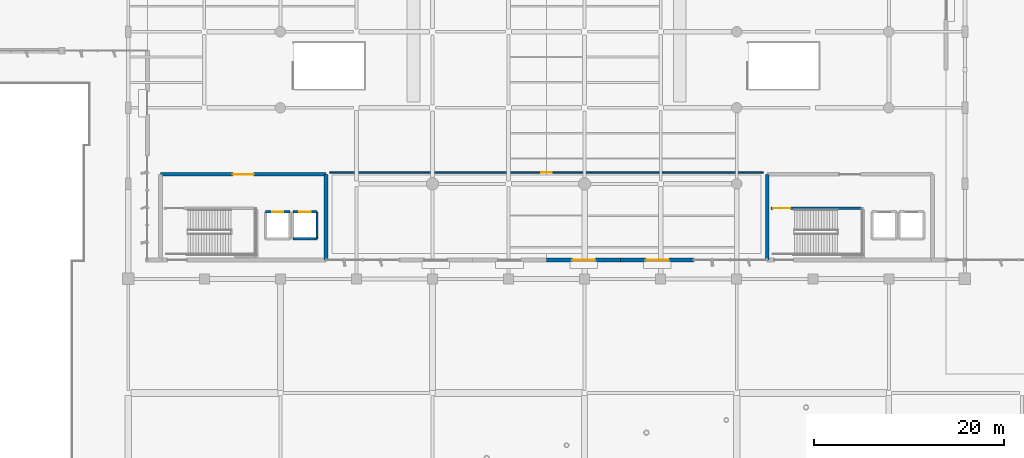
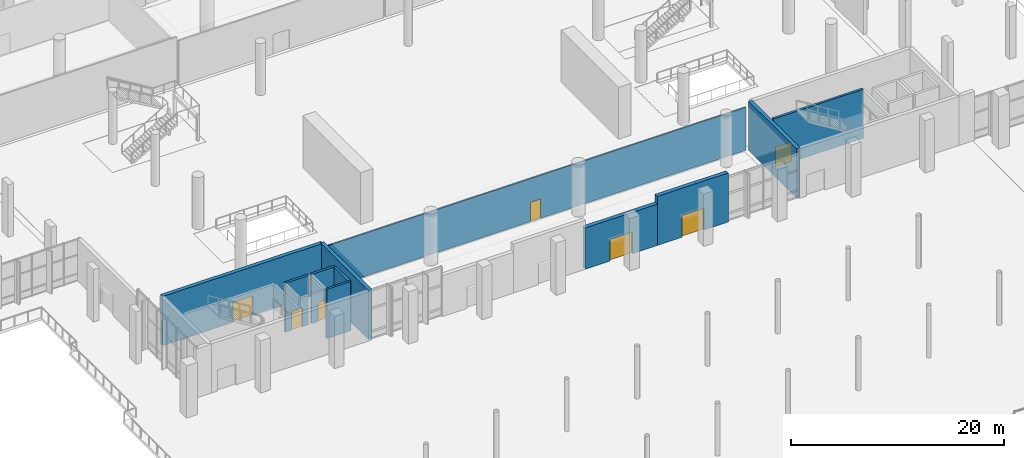
# One storey, part 123 of 163: 11 walls, 7 doors, 7 openings.
"""IFC4 building model written with IfcOpenShell, lengths in metres."""

from ifc_helpers import new_model, si_unit, direction, frame, frame_2d, origin, place, context, subcontext, project, spatial, rectangle, extrude, material, layer, layer_set, type_object, element, fill, save


model = new_model("IFC4")

# Units and contexts
model_context = context("Model", 3, precision=1e-05, world=origin(), true_north=direction((0.0, 1.0)))
body_context = subcontext(model_context, "Body", "Model", "MODEL_VIEW")
ifc_project = project(units=[si_unit("LENGTHUNIT", "METRE"), si_unit("AREAUNIT", "SQUARE_METRE"), si_unit("VOLUMEUNIT", "CUBIC_METRE"), si_unit("PLANEANGLEUNIT", "RADIAN"), si_unit("MASSUNIT", "GRAM", prefix="KILO")], contexts=[model_context])

# Site, building, storey
site_placement = place(None, origin())
site = spatial("IfcSite", under=ifc_project, at=site_placement, CompositionType="ELEMENT")
building_placement = place(site_placement, origin())
building = spatial("IfcBuilding", under=site, at=building_placement, Name="Khorjan Park Terminus", CompositionType="ELEMENT")
storey_placement = place(building_placement, origin())
storey = spatial("IfcBuildingStorey", under=building, at=storey_placement, Name="L00", CompositionType="ELEMENT", Elevation=0.0)

# Wall
ifc_material_1 = material(Name="Concrete C50/60", Category="concrete")
ifc_layer_1 = layer(ifc_material_1, 0.4)
ifc_layer_set_1 = layer_set([ifc_layer_1], Name="Concrete C50/60")
wall_type_1 = type_object("IfcWallType", Name="CW-40", PredefinedType="SHEAR", material=ifc_layer_set_1)
wall_1_placement = place(storey_placement, frame((68.8, 28.0, 0.0), z_axis=(0.0, 0.0, 1.0), x_axis=(0.0, 1.0, 0.0)))
element("IfcWall", 1, at=wall_1_placement, inside=storey, type_object=wall_type_1, Name="West Concourse Core concrete shear wall CW-40 (L00-E2)", PredefinedType="SHEAR", context=body_context, shape_type="SweptSolid", body=[
    extrude(rectangle(XDim=9.0, YDim=0.4, at=frame_2d((4.5, 0.0))), origin(), (0.0, 0.0, 1.0), 5.64),
])

# Wall, opening, door
wall_2_placement = place(storey_placement, frame((68.8, 37.0, 0.0), z_axis=(0.0, 0.0, 1.0), x_axis=(-1.0, 0.0, 0.0)))
wall_2 = element("IfcWall", 2, at=wall_2_placement, inside=storey, type_object=wall_type_1, Name="West Concourse Core concrete shear wall CW-40 (L00-E3)", PredefinedType="SHEAR", context=body_context, shape_type="SweptSolid", body=[
    extrude(rectangle(XDim=17.4, YDim=0.4, at=frame_2d((8.7, 0.0))), origin(), (0.0, 0.0, 1.0), 5.64),
])
opening_1_placement = place(wall_2_placement, frame((7.6, 0.0, 0.0)))
opening_1 = element("IfcOpeningElement", 3, at=opening_1_placement, cuts=wall_2, Name="Opening FD-22", PredefinedType="OPENING", context=body_context, shape_type="SweptSolid", body=[
    extrude(rectangle(XDim=2.2, YDim=2.3, at=frame_2d((1.1, 1.15))), frame((0.0, 0.21, 0.0), z_axis=(0.0, -1.0, 0.0), x_axis=(1.0, 0.0, 0.0)), (0.0, 0.0, 1.0), 0.42),
])
ifc_material_2 = material(Name="Fire-Rated Steel Double Door", Category="steel")
door_type_1 = type_object("IfcDoorType", Name="FD-22", OperationType="NOTDEFINED", PredefinedType="DOOR", material=ifc_material_2)
door_1_placement = place(opening_1_placement, origin())
door_1 = element("IfcDoor", 4, at=door_1_placement, inside=storey, type_object=door_type_1, Name="West Concourse Core fire-rated exit door FD-22 (L00)", OperationType="DOUBLE_DOOR_SINGLE_SWING", OverallHeight=2.3, OverallWidth=2.2, PredefinedType="DOOR", context=body_context, shape_type="SweptSolid", body=[
    extrude(rectangle(XDim=2.2, YDim=2.3, at=frame_2d((1.1, 1.15))), frame((0.0, 0.025, 0.0), z_axis=(0.0, -1.0, 0.0), x_axis=(1.0, 0.0, 0.0)), (0.0, 0.0, 1.0), 0.05),
])
fill(opening_1, door_1)

# Wall
wall_3_placement = place(storey_placement, frame((115.2, 37.0, 0.0), z_axis=(0.0, 0.0, 1.0), x_axis=(0.0, -1.0, 0.0)))
element("IfcWall", 5, at=wall_3_placement, inside=storey, type_object=wall_type_1, Name="East Concourse Core concrete shear wall CW-40 (L00-E4)", PredefinedType="SHEAR", context=body_context, shape_type="SweptSolid", body=[
    extrude(rectangle(XDim=9.0, YDim=0.4, at=frame_2d((4.5, 0.0))), origin(), (0.0, 0.0, 1.0), 5.64),
])

# Wall, opening, door
ifc_material_3 = material(Name="Pigmented Precast GRC & Concrete C40/50", Category="concrete")
ifc_layer_2 = layer(ifc_material_3, 0.42)
ifc_layer_set_2 = layer_set([ifc_layer_2], Name="Pigmented Precast GRC & Concrete C40/50")
wall_type_2 = type_object("IfcWallType", Name="EW-42", PredefinedType="STANDARD", material=ifc_layer_set_2)
wall_4_placement = place(storey_placement, frame((92.0, 28.0, 0.0), z_axis=(0.0, 0.0, 1.0), x_axis=(1.0, 0.0, 0.0)))
wall_4 = element("IfcWall", 6, at=wall_4_placement, inside=storey, type_object=wall_type_2, Name="External pigmented-GRC insulated wall EW-42 (EW-V2-S-L00-05)", PredefinedType="STANDARD", context=body_context, shape_type="SweptSolid", body=[
    extrude(rectangle(XDim=7.8, YDim=0.42, at=frame_2d((3.9, 0.0))), origin(), (0.0, 0.0, 1.0), 4.735),
])
opening_2_placement = place(wall_4_placement, frame((2.7, 0.0, 0.0)))
opening_2 = element("IfcOpeningElement", 7, at=opening_2_placement, cuts=wall_4, Name="Opening ED-24", PredefinedType="OPENING", context=body_context, shape_type="SweptSolid", body=[
    extrude(rectangle(XDim=2.4, YDim=2.5, at=frame_2d((1.2, 1.25))), frame((0.0, 0.22, 0.0), z_axis=(0.0, -1.0, 0.0), x_axis=(1.0, 0.0, 0.0)), (0.0, 0.0, 1.0), 0.44),
])
ifc_material_4 = material(Name="Anodized Bronze Aluminium & Safety Glass", Category="aluminium")
door_type_2 = type_object("IfcDoorType", Name="ED-24", OperationType="NOTDEFINED", PredefinedType="DOOR", material=ifc_material_4)
door_2_placement = place(opening_2_placement, origin())
door_2 = element("IfcDoor", 8, at=door_2_placement, inside=storey, type_object=door_type_2, Name="Exterior door ED-24 (DR-EW-V2-S-L00-05)", OperationType="DOUBLE_DOOR_SINGLE_SWING", OverallHeight=2.5, OverallWidth=2.4, PredefinedType="DOOR", context=body_context, shape_type="SweptSolid", body=[
    extrude(rectangle(XDim=2.4, YDim=2.5, at=frame_2d((1.2, 1.25))), frame((0.0, 0.025, 0.0), z_axis=(0.0, -1.0, 0.0), x_axis=(1.0, 0.0, 0.0)), (0.0, 0.0, 1.0), 0.05),
])
fill(opening_2, door_2)

wall_5_placement = place(storey_placement, frame((99.8, 28.0, 0.0), z_axis=(0.0, 0.0, 1.0), x_axis=(1.0, 0.0, 0.0)))
wall_5 = element("IfcWall", 9, at=wall_5_placement, inside=storey, type_object=wall_type_2, Name="External pigmented-GRC insulated wall EW-42 (EW-V2-S-L00-06)", PredefinedType="STANDARD", context=body_context, shape_type="SweptSolid", body=[
    extrude(rectangle(XDim=7.7, YDim=0.42, at=frame_2d((3.85, 0.0))), origin(), (0.0, 0.0, 1.0), 5.62),
])
opening_3_placement = place(wall_5_placement, frame((2.65, 0.0, 0.0)))
opening_3 = element("IfcOpeningElement", 10, at=opening_3_placement, cuts=wall_5, Name="Opening ED-24", PredefinedType="OPENING", context=body_context, shape_type="SweptSolid", body=[
    extrude(rectangle(XDim=2.4, YDim=2.5, at=frame_2d((1.2, 1.25))), frame((0.0, 0.22, 0.0), z_axis=(0.0, -1.0, 0.0), x_axis=(1.0, 0.0, 0.0)), (0.0, 0.0, 1.0), 0.44),
])
door_3_placement = place(opening_3_placement, origin())
door_3 = element("IfcDoor", 11, at=door_3_placement, inside=storey, type_object=door_type_2, Name="Exterior door ED-24 (DR-EW-V2-S-L00-06)", OperationType="DOUBLE_DOOR_SINGLE_SWING", OverallHeight=2.5, OverallWidth=2.4, PredefinedType="DOOR", context=body_context, shape_type="SweptSolid", body=[
    extrude(rectangle(XDim=2.4, YDim=2.5, at=frame_2d((1.2, 1.25))), frame((0.0, 0.025, 0.0), z_axis=(0.0, -1.0, 0.0), x_axis=(1.0, 0.0, 0.0)), (0.0, 0.0, 1.0), 0.05),
])
fill(opening_3, door_3)

ifc_material_5 = material(Name="Insulated Metal-Stud Acoustic Partition")
ifc_layer_3 = layer(ifc_material_5, 0.16)
ifc_layer_set_3 = layer_set([ifc_layer_3], Name="Insulated Metal-Stud Acoustic Partition")
wall_type_3 = type_object("IfcWallType", Name="PT-16", PredefinedType="PARTITIONING", material=ifc_layer_set_3)
wall_6_placement = place(storey_placement, frame((69.2, 37.2, 0.0), z_axis=(0.0, 0.0, 1.0), x_axis=(1.0, 0.0, 0.0)))
wall_6 = element("IfcWall", 12, at=wall_6_placement, inside=storey, type_object=wall_type_3, Name="Interior acoustic partition PT-16 (L00-TCK)", PredefinedType="PARTITIONING", context=body_context, shape_type="SweptSolid", body=[
    extrude(rectangle(XDim=45.6, YDim=0.16, at=frame_2d((22.8, 0.0))), origin(), (0.0, 0.0, 1.0), 4.915),
])
opening_4_placement = place(wall_6_placement, frame((22.25, 0.0, 0.0)))
opening_4 = element("IfcOpeningElement", 13, at=opening_4_placement, cuts=wall_6, Name="Opening ID-11", PredefinedType="OPENING", context=body_context, shape_type="SweptSolid", body=[
    extrude(rectangle(XDim=1.1, YDim=2.2, at=frame_2d((0.55, 1.1))), frame((0.0, 0.09, 0.0), z_axis=(0.0, -1.0, 0.0), x_axis=(1.0, 0.0, 0.0)), (0.0, 0.0, 1.0), 0.18),
])
ifc_material_6 = material(Name="Acoustic Hardwood Single Door", Category="wood")
door_type_3 = type_object("IfcDoorType", Name="ID-11", OperationType="NOTDEFINED", PredefinedType="DOOR", material=ifc_material_6)
door_4_placement = place(opening_4_placement, origin())
door_4 = element("IfcDoor", 14, at=door_4_placement, inside=storey, type_object=door_type_3, Name="Interior door ID-11 (L00-TCK)", OperationType="SINGLE_SWING_LEFT", OverallHeight=2.2, OverallWidth=1.1, PredefinedType="DOOR", context=body_context, shape_type="SweptSolid", body=[
    extrude(rectangle(XDim=1.1, YDim=2.2, at=frame_2d((0.55, 1.1))), frame((0.0, 0.025, 0.0), z_axis=(0.0, -1.0, 0.0), x_axis=(1.0, 0.0, 0.0)), (0.0, 0.0, 1.0), 0.05),
])
fill(opening_4, door_4)

ifc_material_7 = material(Name="Concrete C40/50", Category="concrete")
ifc_layer_4 = layer(ifc_material_7, 0.25)
ifc_layer_set_4 = layer_set([ifc_layer_4], Name="Concrete C40/50")
wall_type_4 = type_object("IfcWallType", Name="SW-25", PredefinedType="SOLIDWALL", material=ifc_layer_set_4)
wall_7_placement = place(storey_placement, frame((64.99, 33.05, 0.0), z_axis=(0.0, 0.0, 1.0), x_axis=(-1.0, 0.0, 0.0)))
wall_7 = element("IfcWall", 15, at=wall_7_placement, inside=storey, type_object=wall_type_4, Name="Lift L01 concrete shaft wall SW-25 (L00-3)", PredefinedType="SOLIDWALL", context=body_context, shape_type="SweptSolid", body=[
    extrude(rectangle(XDim=2.54, YDim=0.25, at=frame_2d((1.27, 0.0))), origin(), (0.0, 0.0, 1.0), 5.64),
])
opening_5_placement = place(wall_7_placement, frame((0.67, 0.0, 0.0)))
opening_5 = element("IfcOpeningElement", 16, at=opening_5_placement, cuts=wall_7, Name="Opening LD-12", PredefinedType="OPENING", context=body_context, shape_type="SweptSolid", body=[
    extrude(rectangle(XDim=1.2, YDim=2.2, at=frame_2d((0.6, 1.1))), frame((0.0, 0.135, 0.0), z_axis=(0.0, -1.0, 0.0), x_axis=(1.0, 0.0, 0.0)), (0.0, 0.0, 1.0), 0.27),
])
ifc_material_8 = material(Name="Stainless-Steel Lift Landing Sliding Door", Category="steel")
door_type_4 = type_object("IfcDoorType", Name="LD-12", OperationType="NOTDEFINED", PredefinedType="DOOR", material=ifc_material_8)
door_5_placement = place(opening_5_placement, origin())
door_5 = element("IfcDoor", 17, at=door_5_placement, inside=storey, type_object=door_type_4, Name="Lift L01 sliding landing door LD-12 (L00)", OperationType="SLIDING_TO_LEFT", OverallHeight=2.2, OverallWidth=1.2, PredefinedType="DOOR", context=body_context, shape_type="SweptSolid", body=[
    extrude(rectangle(XDim=1.2, YDim=2.2, at=frame_2d((0.6, 1.1))), frame((0.0, 0.025, 0.0), z_axis=(0.0, -1.0, 0.0), x_axis=(1.0, 0.0, 0.0)), (0.0, 0.0, 1.0), 0.05),
])
fill(opening_5, door_5)

# Walls
wall_8_placement = place(storey_placement, frame((65.31, 30.21, 0.0), z_axis=(0.0, 0.0, 1.0), x_axis=(1.0, 0.0, 0.0)))
element("IfcWall", 18, at=wall_8_placement, inside=storey, type_object=wall_type_4, Name="Lift L02 concrete shaft wall SW-25 (L00-1)", PredefinedType="SOLIDWALL", context=body_context, shape_type="SweptSolid", body=[
    extrude(rectangle(XDim=2.54, YDim=0.25, at=frame_2d((1.27, 0.0))), origin(), (0.0, 0.0, 1.0), 5.64),
])
wall_9_placement = place(storey_placement, frame((67.85, 30.21, 0.0), z_axis=(0.0, 0.0, 1.0), x_axis=(0.0, 1.0, 0.0)))
element("IfcWall", 19, at=wall_9_placement, inside=storey, type_object=wall_type_4, Name="Lift L02 concrete shaft wall SW-25 (L00-2)", PredefinedType="SOLIDWALL", context=body_context, shape_type="SweptSolid", body=[
    extrude(rectangle(XDim=2.84, YDim=0.25, at=frame_2d((1.42, 0.0))), origin(), (0.0, 0.0, 1.0), 5.64),
])

# Wall, opening, door
wall_10_placement = place(storey_placement, frame((67.85, 33.05, 0.0), z_axis=(0.0, 0.0, 1.0), x_axis=(-1.0, 0.0, 0.0)))
wall_10 = element("IfcWall", 20, at=wall_10_placement, inside=storey, type_object=wall_type_4, Name="Lift L02 concrete shaft wall SW-25 (L00-3)", PredefinedType="SOLIDWALL", context=body_context, shape_type="SweptSolid", body=[
    extrude(rectangle(XDim=2.54, YDim=0.25, at=frame_2d((1.27, 0.0))), origin(), (0.0, 0.0, 1.0), 5.64),
])
opening_6_placement = place(wall_10_placement, frame((0.67, 0.0, 0.0)))
opening_6 = element("IfcOpeningElement", 21, at=opening_6_placement, cuts=wall_10, Name="Opening LD-12", PredefinedType="OPENING", context=body_context, shape_type="SweptSolid", body=[
    extrude(rectangle(XDim=1.2, YDim=2.2, at=frame_2d((0.6, 1.1))), frame((0.0, 0.135, 0.0), z_axis=(0.0, -1.0, 0.0), x_axis=(1.0, 0.0, 0.0)), (0.0, 0.0, 1.0), 0.27),
])
door_6_placement = place(opening_6_placement, origin())
door_6 = element("IfcDoor", 22, at=door_6_placement, inside=storey, type_object=door_type_4, Name="Lift L02 sliding landing door LD-12 (L00)", OperationType="SLIDING_TO_RIGHT", OverallHeight=2.2, OverallWidth=1.2, PredefinedType="DOOR", context=body_context, shape_type="SweptSolid", body=[
    extrude(rectangle(XDim=1.2, YDim=2.2, at=frame_2d((0.6, 1.1))), frame((0.0, 0.025, 0.0), z_axis=(0.0, -1.0, 0.0), x_axis=(1.0, 0.0, 0.0)), (0.0, 0.0, 1.0), 0.05),
])
fill(opening_6, door_6)

wall_11_placement = place(storey_placement, frame((115.58, 33.435, 0.0), z_axis=(0.0, 0.0, 1.0), x_axis=(1.0, 0.0, 0.0)))
wall_11 = element("IfcWall", 23, at=wall_11_placement, inside=storey, type_object=wall_type_4, Name="East Concourse Core structural stairwell wall SW-25 (L00)", PredefinedType="SOLIDWALL", context=body_context, shape_type="SweptSolid", body=[
    extrude(rectangle(XDim=9.745, YDim=0.25, at=frame_2d((4.8725, 0.0))), origin(), (0.0, 0.0, 1.0), 5.62),
])
opening_7_placement = place(wall_11_placement, frame((0.25, 0.0, 0.0)))
opening_7 = element("IfcOpeningElement", 24, at=opening_7_placement, cuts=wall_11, Name="Opening FD-18", PredefinedType="OPENING", context=body_context, shape_type="SweptSolid", body=[
    extrude(rectangle(XDim=1.8, YDim=2.25, at=frame_2d((0.9, 1.125))), frame((0.0, 0.135, 0.0), z_axis=(0.0, -1.0, 0.0), x_axis=(1.0, 0.0, 0.0)), (0.0, 0.0, 1.0), 0.27),
])
door_type_5 = type_object("IfcDoorType", Name="FD-18", OperationType="NOTDEFINED", PredefinedType="DOOR", material=ifc_material_2)
door_7_placement = place(opening_7_placement, origin())
door_7 = element("IfcDoor", 25, at=door_7_placement, inside=storey, type_object=door_type_5, Name="East Concourse Core stairwell fire door FD-18 (L00)", OperationType="DOUBLE_DOOR_SINGLE_SWING", OverallHeight=2.25, OverallWidth=1.8, PredefinedType="DOOR", context=body_context, shape_type="SweptSolid", body=[
    extrude(rectangle(XDim=1.8, YDim=2.25, at=frame_2d((0.9, 1.125))), frame((0.0, 0.025, 0.0), z_axis=(0.0, -1.0, 0.0), x_axis=(1.0, 0.0, 0.0)), (0.0, 0.0, 1.0), 0.05),
])
fill(opening_7, door_7)

save(model, "model.ifc")
